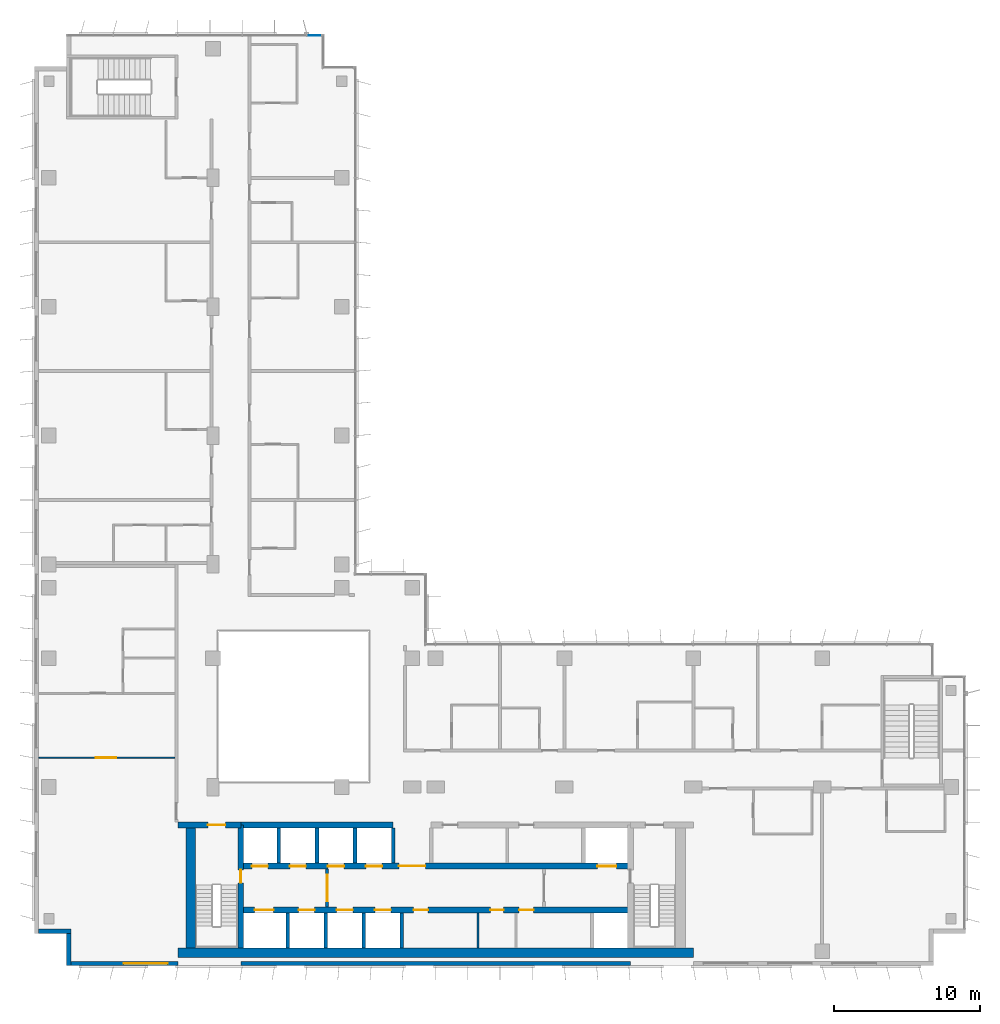
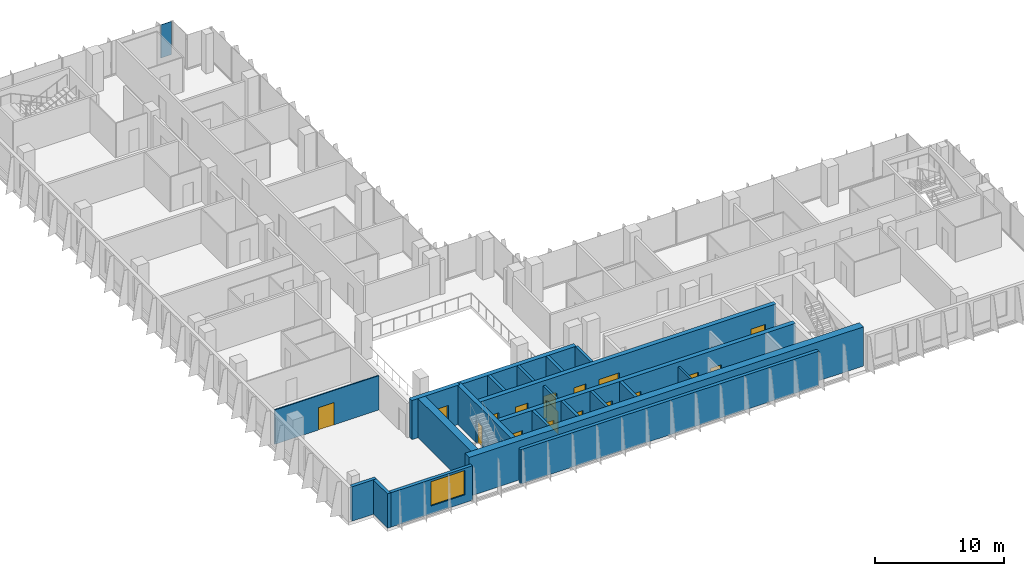
# One storey, part 12 of 20: 22 walls, 17 doors, 1 plate, 1 window, 18 openings, 1 element without a shape of its own.
"""IFC4 building model written with IfcOpenShell, lengths in metres."""

import ifcopenshell
import ifcopenshell.guid

model = None  # the IFC model being written
_history = None  # IfcOwnerHistory: only IFC2X3 demands one
_inside = {}  # id of a spatial element -> (the spatial element, [elements in it])
_under = {}  # id of a project, library or spatial element -> (it, [spatial elements below it])
_declared = {}  # id of a project -> (the project, [libraries it declares])
_typed = {}  # id of a type object -> (the type object, [elements of that type])
_made_of = {}  # id of a material, layer set ... -> (it, [elements and type objects made of it])


def new_model(schema):
    """Start an empty IFC model of exactly this schema.

    Asked for "IFC4X3", IfcOpenShell would pick the latest addendum, in which some entities
    have other attributes; the version numbers below select the first issue.
    IFC2X3 requires an IfcOwnerHistory on every rooted entity: one is made here for all.
    """
    global model, _history
    if schema == "IFC4X3":
        model = ifcopenshell.file(schema_version=(4, 3, 0, 0))
    else:
        model = ifcopenshell.file(schema=schema)
    _inside.clear()
    _under.clear()
    _declared.clear()
    _typed.clear()
    _made_of.clear()
    _history = None
    if model.schema == "IFC2X3":
        org = make("IfcOrganization", Name="unknown")
        user = make(
            "IfcPersonAndOrganization",
            ThePerson=make("IfcPerson", FamilyName="unknown"),
            TheOrganization=org,
        )
        app = make(
            "IfcApplication",
            ApplicationDeveloper=org,
            Version="unknown",
            ApplicationFullName="unknown",
            ApplicationIdentifier="unknown",
        )
        _history = make(
            "IfcOwnerHistory",
            OwningUser=user,
            OwningApplication=app,
            ChangeAction="ADDED",
            CreationDate=0,
        )
    return model


def make(cls, **values):
    """One entity of the class cls with the attributes given. An attribute that is None is left unset."""
    return model.create_entity(
        cls, **{name: value for name, value in values.items() if value is not None}
    )


def rooted(cls, **values):
    """An entity with a GlobalId (a new one), such as an element, a storey or a relation."""
    return make(cls, GlobalId=ifcopenshell.guid.new(), OwnerHistory=_history, **values)


def si_unit(unit_type, name, prefix=None):
    """IfcSIUnit, for example si_unit("LENGTHUNIT", "METRE", prefix="MILLI")."""
    return make("IfcSIUnit", UnitType=unit_type, Prefix=prefix, Name=name)


def assignment(units):
    """IfcUnitAssignment: the units of a project."""
    return None if units is None else make("IfcUnitAssignment", Units=units)


def point(xyz):
    """IfcCartesianPoint."""
    return None if xyz is None else make("IfcCartesianPoint", Coordinates=xyz)


def direction(xyz):
    """IfcDirection."""
    return None if xyz is None else make("IfcDirection", DirectionRatios=xyz)


def frame(location, z_axis=None, x_axis=None):
    """IfcAxis2Placement3D, a coordinate frame: its origin and axes. An axis left out is left unset."""
    return make(
        "IfcAxis2Placement3D",
        Location=point(location),
        Axis=direction(z_axis),
        RefDirection=direction(x_axis),
    )


def frame_2d(location, x_axis=None):
    """IfcAxis2Placement2D, a coordinate frame in the plane: its origin and x axis."""
    return make(
        "IfcAxis2Placement2D", Location=point(location), RefDirection=direction(x_axis)
    )


def origin():
    """The frame at (0, 0, 0) with its axes left unset."""
    return frame((0.0, 0.0, 0.0))


def origin_2d():
    """The frame at (0, 0) in the plane with its x axis left unset."""
    return frame_2d((0.0, 0.0))


def place(relative_to, where):
    """IfcLocalPlacement: puts the frame where relative to a parent placement (None: the world)."""
    return make(
        "IfcLocalPlacement", PlacementRelTo=relative_to, RelativePlacement=where
    )


def context(
    kind, dimensions, precision=None, world=None, true_north=None, identifier=None
):
    """IfcGeometricRepresentationContext, for example the 3D "Model" context."""
    return make(
        "IfcGeometricRepresentationContext",
        ContextIdentifier=identifier,
        ContextType=kind,
        CoordinateSpaceDimension=dimensions,
        Precision=precision,
        WorldCoordinateSystem=world,
        TrueNorth=true_north,
    )


def subcontext(parent, identifier, kind, view, scale=None):
    """IfcGeometricRepresentationSubContext, for example "Body" below "Model"."""
    return make(
        "IfcGeometricRepresentationSubContext",
        ContextIdentifier=identifier,
        ContextType=kind,
        ParentContext=parent,
        TargetScale=scale,
        TargetView=view,
    )


def project(units=None, contexts=None):
    """IfcProject with its units and contexts."""
    return rooted(
        "IfcProject",
        Name="project",
        RepresentationContexts=contexts,
        UnitsInContext=assignment(units),
    )


def spatial(cls, under=None, at=None, **own):
    """A site, building, storey or space (cls), placed at a placement, below another one or the project."""
    s = rooted(cls, ObjectPlacement=at, **own)
    if under is not None:
        _under.setdefault(under.id(), (under, []))[1].append(s)
    return s


def profile(cls, at=None, kind="AREA", **sizes):
    """A parametric profile (cls). Its sizes go by their IFC names, for example OverallWidth=200.0."""
    return make(cls, ProfileType=kind, Position=at, **sizes)


def rectangle(**sizes):
    """IfcRectangleProfileDef."""
    return profile("IfcRectangleProfileDef", **sizes)


def extrude(swept, where, along, depth):
    """IfcExtrudedAreaSolid: the profile swept, set in the frame where, extruded along a direction by depth."""
    return make(
        "IfcExtrudedAreaSolid",
        SweptArea=swept,
        Position=where,
        ExtrudedDirection=direction(along),
        Depth=depth,
    )


def shape(context_of_items, identifier, shape_type, items):
    """IfcShapeRepresentation: the items that make up one representation, for example the "Body"."""
    return make(
        "IfcShapeRepresentation",
        ContextOfItems=context_of_items,
        RepresentationIdentifier=identifier,
        RepresentationType=shape_type,
        Items=items,
    )


def source(mapping_origin, context_of_items, identifier, shape_type, items):
    """IfcRepresentationMap: a shape defined once, which mapped items show again and again."""
    return make(
        "IfcRepresentationMap",
        MappingOrigin=mapping_origin,
        MappedRepresentation=shape(context_of_items, identifier, shape_type, items),
    )


def transform(
    local_origin,
    x_axis=None,
    y_axis=None,
    z_axis=None,
    scale=None,
    scale2=None,
    scale3=None,
    uniform=True,
):
    """IfcCartesianTransformationOperator3D, or its non-uniform kind. x_axis, y_axis, z_axis: its Axis1, 2, 3."""
    if uniform:
        return make(
            "IfcCartesianTransformationOperator3D",
            Axis1=direction(x_axis),
            Axis2=direction(y_axis),
            LocalOrigin=point(local_origin),
            Scale=scale,
            Axis3=direction(z_axis),
        )
    return make(
        "IfcCartesianTransformationOperator3DnonUniform",
        Axis1=direction(x_axis),
        Axis2=direction(y_axis),
        LocalOrigin=point(local_origin),
        Scale=scale,
        Axis3=direction(z_axis),
        Scale2=scale2,
        Scale3=scale3,
    )


def mapped(mapping_source, mapping_target):
    """IfcMappedItem: shows the shape of a source again, moved by a transform."""
    return make(
        "IfcMappedItem", MappingSource=mapping_source, MappingTarget=mapping_target
    )


def material(Name=None, Category=None):
    """IfcMaterial."""
    return make("IfcMaterial", Name=Name, Category=Category)


def layer(
    of_material, thickness, ventilated=None, Name=None, Category=None, Priority=None
):
    """IfcMaterialLayer: one layer of a wall or slab, of a material (None: an air gap)."""
    return make(
        "IfcMaterialLayer",
        Material=of_material,
        LayerThickness=thickness,
        IsVentilated=ventilated,
        Name=Name,
        Category=Category,
        Priority=Priority,
    )


def layer_set(layers, Name=None):
    """IfcMaterialLayerSet."""
    return make("IfcMaterialLayerSet", MaterialLayers=layers, LayerSetName=Name)


def made_of(thing, what):
    """Note that an element or type object is made of a material, layer set ...; save() writes the relation."""
    if what is not None:
        _made_of.setdefault(what.id(), (what, []))[1].append(thing)
    return thing


def type_object(cls, material=None, **own):
    """A type object (cls), such as IfcWallType, which elements share."""
    return made_of(rooted(cls, **own), material)


def element(
    cls,
    number,
    at=None,
    inside=None,
    cuts=None,
    type_object=None,
    material=None,
    context=None,
    identifier="Body",
    shape_type=None,
    held_by="IfcProductDefinitionShape",
    body=None,
    shapes=None,
    **own,
):
    """One element of the class cls, such as IfcWall. Its Tag is "e" and its number.

    at: its placement. inside: the storey or other place that contains it. cuts: it is an
    opening in that element (IfcRelVoidsElement). A single representation is given by context,
    identifier, shape_type and body (its items); several are given by shapes. held_by: the class
    of the entity that holds the representations. save() writes the other relations.
    """
    e = rooted(cls, Tag="e%d" % number, ObjectPlacement=at, **own)
    if body is not None:
        shapes = [shape(context, identifier, shape_type, body)]
    if shapes is not None:
        e.Representation = make(held_by, Representations=shapes)
    if inside is not None:
        _inside.setdefault(inside.id(), (inside, []))[1].append(e)
    if cuts is not None:
        rooted(
            "IfcRelVoidsElement", RelatingBuildingElement=cuts, RelatedOpeningElement=e
        )
    if type_object is not None:
        _typed.setdefault(type_object.id(), (type_object, []))[1].append(e)
    return made_of(e, material)


def fill(opening, filler):
    """IfcRelFillsElement: the door or window that sits in an opening."""
    return rooted(
        "IfcRelFillsElement",
        RelatingOpeningElement=opening,
        RelatedBuildingElement=filler,
    )


def aggregate(whole, parts):
    """IfcRelAggregates: a whole, such as a stair, and the parts it consists of."""
    return rooted("IfcRelAggregates", RelatingObject=whole, RelatedObjects=parts)


def save(model, path):
    """Write the relations noted so far, then the file.

    IfcRelAggregates (storeys below a building ...), IfcRelContainedInSpatialStructure (elements
    in a storey), IfcRelDefinesByType, IfcRelAssociatesMaterial and IfcRelDeclares: one each for
    every whole, place, type object, material and project.
    """
    for whole, parts in _under.values():
        aggregate(whole, parts)
    for where, things in _inside.values():
        rooted(
            "IfcRelContainedInSpatialStructure",
            RelatedElements=things,
            RelatingStructure=where,
        )
    for kind, things in _typed.values():
        rooted("IfcRelDefinesByType", RelatedObjects=things, RelatingType=kind)
    for what, things in _made_of.values():
        rooted("IfcRelAssociatesMaterial", RelatedObjects=things, RelatingMaterial=what)
    for by, libraries in _declared.values():
        rooted("IfcRelDeclares", RelatingContext=by, RelatedDefinitions=libraries)
    model.write(path)


model = new_model("IFC4")

# Units and contexts
model_context = context("Model", 3, precision=1e-05, world=origin(), true_north=direction((0.0, 1.0)))
body_context = subcontext(model_context, "Body", "Model", "MODEL_VIEW")
ifc_project = project(units=[si_unit("LENGTHUNIT", "METRE"), si_unit("AREAUNIT", "SQUARE_METRE"), si_unit("VOLUMEUNIT", "CUBIC_METRE"), si_unit("PLANEANGLEUNIT", "RADIAN"), si_unit("MASSUNIT", "GRAM", prefix="KILO")], contexts=[model_context])

# Site, building, storey
site_placement = place(None, origin())
site = spatial("IfcSite", under=ifc_project, at=site_placement, CompositionType="ELEMENT")
building_placement = place(site_placement, origin())
building = spatial("IfcBuilding", under=site, at=building_placement, Name="Kemantara Hotel Tower", CompositionType="ELEMENT")
storey_placement = place(building_placement, frame((0.0, 0.0, 190.10009765625)))
storey = spatial("IfcBuildingStorey", under=building, at=storey_placement, Name="L47", CompositionType="ELEMENT", Elevation=190.10009765625)

# Curtain wall, plate
ifc_material_1 = material(Name="Low-E tinted double insulated glass 36 mm", Category="glass")
curtain_wall_type = type_object("IfcCurtainWallType", Name="TOWER CURTAIN WALL, FRONT FACES", PredefinedType="USERDEFINED", material=ifc_material_1)
curtain_wall_placement = place(storey_placement, origin())
curtain_wall = element("IfcCurtainWall", 1, at=curtain_wall_placement, inside=storey, type_object=curtain_wall_type, Name="CW4 L47 T3-R02-1", ObjectType="TOWER CURTAIN WALL, FRONT FACES", PredefinedType="USERDEFINED")
ifc_layer_1 = layer(ifc_material_1, 0.035888671875)
ifc_layer_set_1 = layer_set([ifc_layer_1], Name="Low-E tinted double insulated glass 36 mm")
plate_type = type_object("IfcPlateType", Name="TOWER CURTAIN WALL, FRONT FACES PANEL", PredefinedType="CURTAIN_PANEL", material=ifc_layer_set_1)
shared_shape = source(origin(), body_context, "Body", "SweptSolid", [
    extrude(rectangle(XDim=0.9599609375, YDim=0.035888671875, at=origin_2d()), origin(), (0.0, 0.0, 1.0), 3.1298828125),
])
plate_placement = place(storey_placement, frame((19.110107421875, 63.52490234375, 0.119873046875), z_axis=(0.0, 0.0, 1.0), x_axis=(-1.0, 0.0, 0.0)))
plate = element("IfcPlate", 2, at=plate_placement, type_object=plate_type, Name="CW4 glass panel T3-R02-1.1", PredefinedType="CURTAIN_PANEL", context=body_context, shape_type="MappedRepresentation", body=[
    mapped(shared_shape, transform((0.0, 0.0, 0.0))),
])
aggregate(curtain_wall, [plate])

# Walls
ifc_material_2 = material(Name="Bronze anodised aluminium cladding on insulated steel stud wall", Category="steel")
ifc_layer_2 = layer(ifc_material_2, 0.300048828125)
ifc_layer_set_2 = layer_set([ifc_layer_2], Name="Bronze anodised aluminium cladding on insulated steel stud wall")
wall_type_1 = type_object("IfcWallType", Name="BRONZE METAL-CLAD EXTERNAL WALL 300", PredefinedType="STANDARD", material=ifc_layer_set_2)
for number, where, z_axis, x_axis, name in (
    (3, (0.300048828125, 2.35009765625, 0.0), (0.0, 0.0, 1.0), (1.0, 0.0, 0.0), "EXTERNAL WALL L47 T3-R06"),
    (4, (2.35009765625, 2.199951171875, 0.0), (0.0, 0.0, 1.0), (0.0, -1.0, 0.0), "EXTERNAL WALL L47 T3-R07"),
):
    element("IfcWall", number, at=place(storey_placement, frame(where, z_axis=z_axis, x_axis=x_axis)), inside=storey, type_object=wall_type_1, Name=name, PredefinedType="STANDARD", context=body_context, shape_type="SweptSolid", body=[
        extrude(rectangle(XDim=2.199951171875, YDim=0.300048828125, at=frame_2d((1.10009765625, 0.0))), origin(), (0.0, 0.0, 1.0), 3.25),
    ])

# Wall, opening, window
wall_1_placement = place(storey_placement, frame((2.5, 0.14990234375, 0.0), z_axis=(0.0, 0.0, 1.0), x_axis=(1.0, 0.0, 0.0)))
wall_1 = element("IfcWall", 5, at=wall_1_placement, inside=storey, type_object=wall_type_1, Name="EXTERNAL WALL L47 T3-R08", PredefinedType="STANDARD", context=body_context, shape_type="SweptSolid", body=[
    extrude(rectangle(XDim=7.300048828125, YDim=0.300048828125, at=frame_2d((3.64990234375, 0.0))), origin(), (0.0, 0.0, 1.0), 3.25),
])
opening_1_placement = place(wall_1_placement, frame((3.60009765625, 0.0, 0.75)))
opening_1 = element("IfcOpeningElement", 6, at=opening_1_placement, cuts=wall_1, Name="Opening W1", PredefinedType="OPENING", context=body_context, shape_type="SweptSolid", body=[
    extrude(rectangle(XDim=3.0, YDim=2.300048828125, at=frame_2d((1.5, 1.14990234375))), frame((0.0, 0.159912109375, 0.0), z_axis=(0.0, -1.0, 0.0), x_axis=(1.0, 0.0, 0.0)), (0.0, 0.0, 1.0), 0.320068359375),
])
ifc_material_3 = material(Name="Low-E tinted double insulated glass in bronze anodised aluminium frame", Category="aluminium")
window_type = type_object("IfcWindowType", Name="CHICAGO WINDOW, TRIPLE PANEL 3000x2300", PartitioningType="TRIPLE_PANEL_VERTICAL", PredefinedType="WINDOW", material=ifc_material_3)
window_placement = place(opening_1_placement, origin())
window = element("IfcWindow", 7, at=window_placement, inside=storey, type_object=window_type, Name="CHICAGO WINDOW L47 T3-R08-54", OverallHeight=2.300048828125, OverallWidth=3.0, PartitioningType="SINGLE_PANEL", PredefinedType="WINDOW", context=body_context, shape_type="SweptSolid", body=[
    extrude(rectangle(XDim=3.0, YDim=2.300048828125, at=frame_2d((1.5, 1.14990234375))), frame((0.0, 0.030029296875, 0.0), z_axis=(0.0, -1.0, 0.0), x_axis=(1.0, 0.0, 0.0)), (0.0, 0.0, 1.0), 0.06005859375),
])
fill(opening_1, window)

# Walls
wall_2_placement = place(storey_placement, frame((14.10009765625, 0.14990234375, 0.0), z_axis=(0.0, 0.0, 1.0), x_axis=(1.0, 0.0, 0.0)))
element("IfcWall", 8, at=wall_2_placement, inside=storey, type_object=wall_type_1, Name="EXTERNAL WALL L47 T3-R08-2", PredefinedType="STANDARD", context=body_context, shape_type="SweptSolid", body=[
    extrude(rectangle(XDim=26.599853515625, YDim=0.300048828125, at=frame_2d((13.2998046875, 0.0))), origin(), (0.0, 0.0, 1.0), 3.25),
])
ifc_material_4 = material(Name="Concrete fc 60 MPa", Category="concrete")
ifc_layer_3 = layer(ifc_material_4, 0.25)
ifc_layer_set_3 = layer_set([ifc_layer_3], Name="Concrete fc 60 MPa")
wall_type_2 = type_object("IfcWallType", Name="CORE WALL 250 FC60", PredefinedType="SHEAR", material=ifc_layer_set_3)
for number, where, z_axis, x_axis, name in (
    (9, (17.300048828125, 1.199951171875, 0.0), (0.0, 0.0, 1.0), (0.0, 1.0, 0.0), "CORE WALL CW-DS17.3"),
    (10, (19.89990234375, 1.199951171875, 0.0), (0.0, 0.0, 1.0), (0.0, 1.0, 0.0), "CORE WALL CW-DS19.9"),
    (11, (22.5, 1.199951171875, 0.0), (0.0, 0.0, 1.0), (0.0, 1.0, 0.0), "CORE WALL CW-DS22.5"),
    (12, (25.10009765625, 1.199951171875, 0.0), (0.0, 0.0, 1.0), (0.0, 1.0, 0.0), "CORE WALL CW-DS25.1"),
):
    element("IfcWall", number, at=place(storey_placement, frame(where, z_axis=z_axis, x_axis=x_axis)), inside=storey, type_object=wall_type_2, Name=name, PredefinedType="SHEAR", context=body_context, shape_type="SweptSolid", body=[
        extrude(rectangle(XDim=2.400146484375, YDim=0.25, at=frame_2d((1.2001953125, 0.0))), origin(), (0.0, 0.0, 1.0), 3.699951171875),
    ])
for number, where, z_axis, x_axis, name in (
    (13, (16.699951171875, 7.0, 0.0), (0.0, 0.0, 1.0), (0.0, 1.0, 0.0), "CORE WALL CW-DN16.7"),
    (14, (19.300048828125, 7.0, 0.0), (0.0, 0.0, 1.0), (0.0, 1.0, 0.0), "CORE WALL CW-DN19.3"),
    (15, (21.89990234375, 7.0, 0.0), (0.0, 0.0, 1.0), (0.0, 1.0, 0.0), "CORE WALL CW-DN21.9"),
    (16, (24.5, 7.0, 0.0), (0.0, 0.0, 1.0), (0.0, 1.0, 0.0), "CORE WALL CW-DN24.5"),
):
    element("IfcWall", number, at=place(storey_placement, frame(where, z_axis=z_axis, x_axis=x_axis)), inside=storey, type_object=wall_type_2, Name=name, PredefinedType="SHEAR", context=body_context, shape_type="SweptSolid", body=[
        extrude(rectangle(XDim=2.39990234375, YDim=0.25, at=frame_2d((1.199951171875, 0.0))), origin(), (0.0, 0.0, 1.0), 3.699951171875),
    ])

# Wall, opening, door
ifc_layer_4 = layer(ifc_material_4, 0.39990234375)
ifc_layer_set_4 = layer_set([ifc_layer_4], Name="Concrete fc 60 MPa")
wall_type_3 = type_object("IfcWallType", Name="CORE WALL 400 FC60", PredefinedType="SHEAR", material=ifc_layer_set_4)
wall_3_placement = place(storey_placement, frame((9.800048828125, 9.60009765625, 0.0), z_axis=(0.0, 0.0, 1.0), x_axis=(1.0, 0.0, 0.0)))
wall_3 = element("IfcWall", 17, at=wall_3_placement, inside=storey, type_object=wall_type_3, Name="CORE WALL CW-N1", PredefinedType="SHEAR", context=body_context, shape_type="SweptSolid", body=[
    extrude(rectangle(XDim=4.300048828125, YDim=0.39990234375, at=frame_2d((2.14990234375, 0.0))), origin(), (0.0, 0.0, 1.0), 3.699951171875),
])
opening_2_placement = place(wall_3_placement, frame((2.050048828125, 0.0, 0.0)))
opening_2 = element("IfcOpeningElement", 18, at=opening_2_placement, cuts=wall_3, Name="Opening C28-ST1-C", PredefinedType="OPENING", context=body_context, shape_type="SweptSolid", body=[
    extrude(rectangle(XDim=1.199951171875, YDim=2.10009765625, at=frame_2d((0.60009765625, 1.050048828125))), frame((0.0, 0.2099609375, 0.0), z_axis=(0.0, -1.0, 0.0), x_axis=(1.0, 0.0, 0.0)), (0.0, 0.0, 1.0), 0.419921875),
])
ifc_material_5 = material(Name="Steel fire door", Category="steel")
door_type_1 = type_object("IfcDoorType", Name="Fire door FD90 1200 x 2100", OperationType="NOTDEFINED", PredefinedType="DOOR", material=ifc_material_5)
door_1_placement = place(opening_2_placement, frame((1.199951171875, 0.0, 0.0), z_axis=(0.0, 0.0, 1.0), x_axis=(-1.0, 0.0, 0.0)))
door_1 = element("IfcDoor", 19, at=door_1_placement, inside=storey, type_object=door_type_1, Name="Stair ST1 door to corridor", OperationType="SINGLE_SWING_LEFT", OverallHeight=2.10009765625, OverallWidth=1.199951171875, PredefinedType="DOOR", context=body_context, shape_type="SweptSolid", body=[
    extrude(rectangle(XDim=1.199951171875, YDim=2.10009765625, at=frame_2d((0.60009765625, 1.050048828125))), frame((0.0, 0.02490234375, 0.0), z_axis=(0.0, -1.0, 0.0), x_axis=(1.0, 0.0, 0.0)), (0.0, 0.0, 1.0), 0.050048828125),
])
fill(opening_2, door_1)

# Wall
wall_4_placement = place(storey_placement, frame((14.10009765625, 9.60009765625, 0.0), z_axis=(0.0, 0.0, 1.0), x_axis=(1.0, 0.0, 0.0)))
element("IfcWall", 20, at=wall_4_placement, inside=storey, type_object=wall_type_3, Name="CORE WALL CW-NN1", PredefinedType="SHEAR", context=body_context, shape_type="SweptSolid", body=[
    extrude(rectangle(XDim=10.39990234375, YDim=0.39990234375, at=frame_2d((5.199951171875, 0.0))), origin(), (0.0, 0.0, 1.0), 3.699951171875),
])

# Wall, openings, doors
wall_5_placement = place(storey_placement, frame((14.10009765625, 3.800048828125, 0.0), z_axis=(0.0, 0.0, 1.0), x_axis=(1.0, 0.0, 0.0)))
wall_5 = element("IfcWall", 21, at=wall_5_placement, inside=storey, type_object=wall_type_3, Name="CORE WALL CW-L1", PredefinedType="SHEAR", context=body_context, shape_type="SweptSolid", body=[
    extrude(rectangle(XDim=26.599853515625, YDim=0.39990234375, at=frame_2d((13.2998046875, 0.0))), origin(), (0.0, 0.0, 1.0), 3.699951171875),
])
opening_3_placement = place(wall_5_placement, frame((0.949951171875, 0.0, 0.0)))
opening_3 = element("IfcOpeningElement", 22, at=opening_3_placement, cuts=wall_5, Name="Opening C28-LD-FF1", PredefinedType="OPENING", context=body_context, shape_type="SweptSolid", body=[
    extrude(rectangle(XDim=1.300048828125, YDim=2.10009765625, at=frame_2d((0.64990234375, 1.050048828125))), frame((0.0, 0.2099609375, 0.0), z_axis=(0.0, -1.0, 0.0), x_axis=(1.0, 0.0, 0.0)), (0.0, 0.0, 1.0), 0.419921875),
])
opening_4_placement = place(wall_5_placement, frame((3.949951171875, 0.0, 0.0)))
opening_4 = element("IfcOpeningElement", 23, at=opening_4_placement, cuts=wall_5, Name="Opening C28-LD-SV1", PredefinedType="OPENING", context=body_context, shape_type="SweptSolid", body=[
    extrude(rectangle(XDim=1.10009765625, YDim=2.10009765625, at=frame_2d((0.550048828125, 1.050048828125))), frame((0.0, 0.2099609375, 0.0), z_axis=(0.0, -1.0, 0.0), x_axis=(1.0, 0.0, 0.0)), (0.0, 0.0, 1.0), 0.419921875),
])
opening_5_placement = place(wall_5_placement, frame((6.550048828125, 0.0, 0.0)))
opening_5 = element("IfcOpeningElement", 24, at=opening_5_placement, cuts=wall_5, Name="Opening C28-LD-SV2", PredefinedType="OPENING", context=body_context, shape_type="SweptSolid", body=[
    extrude(rectangle(XDim=1.10009765625, YDim=2.10009765625, at=frame_2d((0.550048828125, 1.050048828125))), frame((0.0, 0.2099609375, 0.0), z_axis=(0.0, -1.0, 0.0), x_axis=(1.0, 0.0, 0.0)), (0.0, 0.0, 1.0), 0.419921875),
])
opening_6_placement = place(wall_5_placement, frame((9.14990234375, 0.0, 0.0)))
opening_6 = element("IfcOpeningElement", 25, at=opening_6_placement, cuts=wall_5, Name="Opening C28-LD-SV3", PredefinedType="OPENING", context=body_context, shape_type="SweptSolid", body=[
    extrude(rectangle(XDim=1.10009765625, YDim=2.10009765625, at=frame_2d((0.550048828125, 1.050048828125))), frame((0.0, 0.2099609375, 0.0), z_axis=(0.0, -1.0, 0.0), x_axis=(1.0, 0.0, 0.0)), (0.0, 0.0, 1.0), 0.419921875),
])
opening_7_placement = place(wall_5_placement, frame((11.800048828125, 0.0, 0.0)))
opening_7 = element("IfcOpeningElement", 26, at=opening_7_placement, cuts=wall_5, Name="Opening C28-R-SM1", PredefinedType="OPENING", context=body_context, shape_type="SweptSolid", body=[
    extrude(rectangle(XDim=1.0, YDim=2.10009765625, at=frame_2d((0.5, 1.050048828125))), frame((0.0, 0.2099609375, 0.0), z_axis=(0.0, -1.0, 0.0), x_axis=(1.0, 0.0, 0.0)), (0.0, 0.0, 1.0), 0.419921875),
])
opening_8_placement = place(wall_5_placement, frame((17.050048828125, 0.0, 0.0)))
opening_8 = element("IfcOpeningElement", 27, at=opening_8_placement, cuts=wall_5, Name="Opening C28-R-SM2", PredefinedType="OPENING", context=body_context, shape_type="SweptSolid", body=[
    extrude(rectangle(XDim=0.89990234375, YDim=2.10009765625, at=frame_2d((0.449951171875, 1.050048828125))), frame((0.0, 0.2099609375, 0.0), z_axis=(0.0, -1.0, 0.0), x_axis=(1.0, 0.0, 0.0)), (0.0, 0.0, 1.0), 0.419921875),
])
opening_9_placement = place(wall_5_placement, frame((19.0, 0.0, 0.0)))
opening_9 = element("IfcOpeningElement", 28, at=opening_9_placement, cuts=wall_5, Name="Opening C28-R-SM3", PredefinedType="OPENING", context=body_context, shape_type="SweptSolid", body=[
    extrude(rectangle(XDim=1.0, YDim=2.10009765625, at=frame_2d((0.5, 1.050048828125))), frame((0.0, 0.2099609375, 0.0), z_axis=(0.0, -1.0, 0.0), x_axis=(1.0, 0.0, 0.0)), (0.0, 0.0, 1.0), 0.419921875),
])
door_type_2 = type_object("IfcDoorType", Name="Fire door FD30S 1000 x 2100", OperationType="NOTDEFINED", PredefinedType="DOOR", material=ifc_material_5)
door_2_placement = place(opening_7_placement, frame((1.0, 0.0, 0.0), z_axis=(0.0, 0.0, 1.0), x_axis=(-1.0, 0.0, 0.0)))
door_2 = element("IfcDoor", 29, at=door_2_placement, inside=storey, type_object=door_type_2, Name="Luggage Store door", OperationType="SINGLE_SWING_RIGHT", OverallHeight=2.10009765625, OverallWidth=1.0, PredefinedType="DOOR", context=body_context, shape_type="SweptSolid", body=[
    extrude(rectangle(XDim=1.0, YDim=2.10009765625, at=frame_2d((0.5, 1.050048828125))), frame((0.0, 0.02490234375, 0.0), z_axis=(0.0, -1.0, 0.0), x_axis=(1.0, 0.0, 0.0)), (0.0, 0.0, 1.0), 0.050048828125),
])
fill(opening_7, door_2)
door_3_placement = place(opening_9_placement, frame((1.0, 0.0, 0.0), z_axis=(0.0, 0.0, 1.0), x_axis=(-1.0, 0.0, 0.0)))
door_3 = element("IfcDoor", 30, at=door_3_placement, inside=storey, type_object=door_type_2, Name="Staff Lounge door", OperationType="SINGLE_SWING_LEFT", OverallHeight=2.10009765625, OverallWidth=1.0, PredefinedType="DOOR", context=body_context, shape_type="SweptSolid", body=[
    extrude(rectangle(XDim=1.0, YDim=2.10009765625, at=frame_2d((0.5, 1.050048828125))), frame((0.0, 0.02490234375, 0.0), z_axis=(0.0, -1.0, 0.0), x_axis=(1.0, 0.0, 0.0)), (0.0, 0.0, 1.0), 0.050048828125),
])
fill(opening_9, door_3)
door_type_3 = type_object("IfcDoorType", Name="Fire door FD30S 900 x 2100", OperationType="NOTDEFINED", PredefinedType="DOOR", material=ifc_material_5)
door_4_placement = place(opening_8_placement, frame((0.89990234375, 0.0, 0.0), z_axis=(0.0, 0.0, 1.0), x_axis=(-1.0, 0.0, 0.0)))
door_4 = element("IfcDoor", 31, at=door_4_placement, inside=storey, type_object=door_type_3, Name="Staff Wc door", OperationType="SINGLE_SWING_LEFT", OverallHeight=2.10009765625, OverallWidth=0.89990234375, PredefinedType="DOOR", context=body_context, shape_type="SweptSolid", body=[
    extrude(rectangle(XDim=0.89990234375, YDim=2.10009765625, at=frame_2d((0.449951171875, 1.050048828125))), frame((0.0, 0.02490234375, 0.0), z_axis=(0.0, -1.0, 0.0), x_axis=(1.0, 0.0, 0.0)), (0.0, 0.0, 1.0), 0.050048828125),
])
fill(opening_8, door_4)
ifc_material_6 = material(Name="Stainless steel lift door", Category="steel")
door_type_4 = type_object("IfcDoorType", Name="Lift landing door 1100 x 2100 FD60", OperationType="DOUBLE_DOOR_SLIDING", PredefinedType="DOOR", material=ifc_material_6)
door_5_placement = place(opening_4_placement, origin())
door_5 = element("IfcDoor", 32, at=door_5_placement, inside=storey, type_object=door_type_4, Name="Lift SV1 landing door", OperationType="DOUBLE_DOOR_SLIDING", OverallHeight=2.10009765625, OverallWidth=1.10009765625, PredefinedType="DOOR", context=body_context, shape_type="SweptSolid", body=[
    extrude(rectangle(XDim=1.10009765625, YDim=2.10009765625, at=frame_2d((0.550048828125, 1.050048828125))), frame((0.0, 0.02490234375, 0.0), z_axis=(0.0, -1.0, 0.0), x_axis=(1.0, 0.0, 0.0)), (0.0, 0.0, 1.0), 0.050048828125),
])
fill(opening_4, door_5)
door_6_placement = place(opening_5_placement, origin())
door_6 = element("IfcDoor", 33, at=door_6_placement, inside=storey, type_object=door_type_4, Name="Lift SV2 landing door", OperationType="DOUBLE_DOOR_SLIDING", OverallHeight=2.10009765625, OverallWidth=1.10009765625, PredefinedType="DOOR", context=body_context, shape_type="SweptSolid", body=[
    extrude(rectangle(XDim=1.10009765625, YDim=2.10009765625, at=frame_2d((0.550048828125, 1.050048828125))), frame((0.0, 0.02490234375, 0.0), z_axis=(0.0, -1.0, 0.0), x_axis=(1.0, 0.0, 0.0)), (0.0, 0.0, 1.0), 0.050048828125),
])
fill(opening_5, door_6)
door_7_placement = place(opening_6_placement, origin())
door_7 = element("IfcDoor", 34, at=door_7_placement, inside=storey, type_object=door_type_4, Name="Lift SV3 landing door", OperationType="DOUBLE_DOOR_SLIDING", OverallHeight=2.10009765625, OverallWidth=1.10009765625, PredefinedType="DOOR", context=body_context, shape_type="SweptSolid", body=[
    extrude(rectangle(XDim=1.10009765625, YDim=2.10009765625, at=frame_2d((0.550048828125, 1.050048828125))), frame((0.0, 0.02490234375, 0.0), z_axis=(0.0, -1.0, 0.0), x_axis=(1.0, 0.0, 0.0)), (0.0, 0.0, 1.0), 0.050048828125),
])
fill(opening_6, door_7)
door_type_5 = type_object("IfcDoorType", Name="Lift landing door 1300 x 2100 FD90", OperationType="DOUBLE_DOOR_SLIDING", PredefinedType="DOOR", material=ifc_material_6)
door_8_placement = place(opening_3_placement, origin())
door_8 = element("IfcDoor", 35, at=door_8_placement, inside=storey, type_object=door_type_5, Name="Lift FF1 landing door", OperationType="DOUBLE_DOOR_SLIDING", OverallHeight=2.10009765625, OverallWidth=1.300048828125, PredefinedType="DOOR", context=body_context, shape_type="SweptSolid", body=[
    extrude(rectangle(XDim=1.300048828125, YDim=2.10009765625, at=frame_2d((0.64990234375, 1.050048828125))), frame((0.0, 0.02490234375, 0.0), z_axis=(0.0, -1.0, 0.0), x_axis=(1.0, 0.0, 0.0)), (0.0, 0.0, 1.0), 0.050048828125),
])
fill(opening_3, door_8)

wall_6_placement = place(storey_placement, frame((14.10009765625, 6.800048828125, 0.0), z_axis=(0.0, 0.0, 1.0), x_axis=(1.0, 0.0, 0.0)))
wall_6 = element("IfcWall", 36, at=wall_6_placement, inside=storey, type_object=wall_type_3, Name="CORE WALL CW-L2", PredefinedType="SHEAR", context=body_context, shape_type="SweptSolid", body=[
    extrude(rectangle(XDim=26.599853515625, YDim=0.39990234375, at=frame_2d((13.2998046875, 0.0))), origin(), (0.0, 0.0, 1.0), 3.699951171875),
])
opening_10_placement = place(wall_6_placement, frame((10.800048828125, 0.0, 0.0)))
opening_10 = element("IfcOpeningElement", 37, at=opening_10_placement, cuts=wall_6, Name="Opening C28-VL", PredefinedType="OPENING", context=body_context, shape_type="SweptSolid", body=[
    extrude(rectangle(XDim=1.800048828125, YDim=2.10009765625, at=frame_2d((0.89990234375, 1.050048828125))), frame((0.0, 0.2099609375, 0.0), z_axis=(0.0, -1.0, 0.0), x_axis=(1.0, 0.0, 0.0)), (0.0, 0.0, 1.0), 0.419921875),
])
opening_11_placement = place(wall_6_placement, frame((0.75, 0.0, 0.0)))
opening_11 = element("IfcOpeningElement", 38, at=opening_11_placement, cuts=wall_6, Name="Opening C28-LD-MR1", PredefinedType="OPENING", context=body_context, shape_type="SweptSolid", body=[
    extrude(rectangle(XDim=1.10009765625, YDim=2.10009765625, at=frame_2d((0.550048828125, 1.050048828125))), frame((0.0, 0.2099609375, 0.0), z_axis=(0.0, -1.0, 0.0), x_axis=(1.0, 0.0, 0.0)), (0.0, 0.0, 1.0), 0.419921875),
])
opening_12_placement = place(wall_6_placement, frame((3.35009765625, 0.0, 0.0)))
opening_12 = element("IfcOpeningElement", 39, at=opening_12_placement, cuts=wall_6, Name="Opening C28-LD-MR2", PredefinedType="OPENING", context=body_context, shape_type="SweptSolid", body=[
    extrude(rectangle(XDim=1.10009765625, YDim=2.10009765625, at=frame_2d((0.550048828125, 1.050048828125))), frame((0.0, 0.2099609375, 0.0), z_axis=(0.0, -1.0, 0.0), x_axis=(1.0, 0.0, 0.0)), (0.0, 0.0, 1.0), 0.419921875),
])
opening_13_placement = place(wall_6_placement, frame((5.949951171875, 0.0, 0.0)))
opening_13 = element("IfcOpeningElement", 40, at=opening_13_placement, cuts=wall_6, Name="Opening C28-LD-MR3", PredefinedType="OPENING", context=body_context, shape_type="SweptSolid", body=[
    extrude(rectangle(XDim=1.10009765625, YDim=2.10009765625, at=frame_2d((0.550048828125, 1.050048828125))), frame((0.0, 0.2099609375, 0.0), z_axis=(0.0, -1.0, 0.0), x_axis=(1.0, 0.0, 0.0)), (0.0, 0.0, 1.0), 0.419921875),
])
opening_14_placement = place(wall_6_placement, frame((8.550048828125, 0.0, 0.0)))
opening_14 = element("IfcOpeningElement", 41, at=opening_14_placement, cuts=wall_6, Name="Opening C28-LD-MR4", PredefinedType="OPENING", context=body_context, shape_type="SweptSolid", body=[
    extrude(rectangle(XDim=1.10009765625, YDim=2.10009765625, at=frame_2d((0.550048828125, 1.050048828125))), frame((0.0, 0.2099609375, 0.0), z_axis=(0.0, -1.0, 0.0), x_axis=(1.0, 0.0, 0.0)), (0.0, 0.0, 1.0), 0.419921875),
])
opening_15_placement = place(wall_6_placement, frame((24.35009765625, 0.0, 0.0)))
opening_15 = element("IfcOpeningElement", 42, at=opening_15_placement, cuts=wall_6, Name="Opening C28-LD-FF2", PredefinedType="OPENING", context=body_context, shape_type="SweptSolid", body=[
    extrude(rectangle(XDim=1.300048828125, YDim=2.10009765625, at=frame_2d((0.64990234375, 1.050048828125))), frame((0.0, 0.2099609375, 0.0), z_axis=(0.0, -1.0, 0.0), x_axis=(1.0, 0.0, 0.0)), (0.0, 0.0, 1.0), 0.419921875),
])
door_type_6 = type_object("IfcDoorType", Name="Fire door pair FD60 1800 x 2100", OperationType="DOUBLE_DOOR_SINGLE_SWING", PredefinedType="DOOR", material=ifc_material_5)
door_9_placement = place(opening_10_placement, frame((1.800048828125, 0.0, 0.0), z_axis=(0.0, 0.0, 1.0), x_axis=(-1.0, 0.0, 0.0)))
door_9 = element("IfcDoor", 43, at=door_9_placement, inside=storey, type_object=door_type_6, Name="Lift lobby entry door", OperationType="DOUBLE_DOOR_SINGLE_SWING", OverallHeight=2.10009765625, OverallWidth=1.800048828125, PredefinedType="DOOR", context=body_context, shape_type="SweptSolid", body=[
    extrude(rectangle(XDim=1.800048828125, YDim=2.10009765625, at=frame_2d((0.89990234375, 1.050048828125))), frame((0.0, 0.02490234375, 0.0), z_axis=(0.0, -1.0, 0.0), x_axis=(1.0, 0.0, 0.0)), (0.0, 0.0, 1.0), 0.050048828125),
])
fill(opening_10, door_9)
door_10_placement = place(opening_11_placement, origin())
door_10 = element("IfcDoor", 44, at=door_10_placement, inside=storey, type_object=door_type_4, Name="Lift MR1 landing door", OperationType="DOUBLE_DOOR_SLIDING", OverallHeight=2.10009765625, OverallWidth=1.10009765625, PredefinedType="DOOR", context=body_context, shape_type="SweptSolid", body=[
    extrude(rectangle(XDim=1.10009765625, YDim=2.10009765625, at=frame_2d((0.550048828125, 1.050048828125))), frame((0.0, 0.02490234375, 0.0), z_axis=(0.0, -1.0, 0.0), x_axis=(1.0, 0.0, 0.0)), (0.0, 0.0, 1.0), 0.050048828125),
])
fill(opening_11, door_10)
door_11_placement = place(opening_12_placement, origin())
door_11 = element("IfcDoor", 45, at=door_11_placement, inside=storey, type_object=door_type_4, Name="Lift MR2 landing door", OperationType="DOUBLE_DOOR_SLIDING", OverallHeight=2.10009765625, OverallWidth=1.10009765625, PredefinedType="DOOR", context=body_context, shape_type="SweptSolid", body=[
    extrude(rectangle(XDim=1.10009765625, YDim=2.10009765625, at=frame_2d((0.550048828125, 1.050048828125))), frame((0.0, 0.02490234375, 0.0), z_axis=(0.0, -1.0, 0.0), x_axis=(1.0, 0.0, 0.0)), (0.0, 0.0, 1.0), 0.050048828125),
])
fill(opening_12, door_11)
door_12_placement = place(opening_13_placement, origin())
door_12 = element("IfcDoor", 46, at=door_12_placement, inside=storey, type_object=door_type_4, Name="Lift MR3 landing door", OperationType="DOUBLE_DOOR_SLIDING", OverallHeight=2.10009765625, OverallWidth=1.10009765625, PredefinedType="DOOR", context=body_context, shape_type="SweptSolid", body=[
    extrude(rectangle(XDim=1.10009765625, YDim=2.10009765625, at=frame_2d((0.550048828125, 1.050048828125))), frame((0.0, 0.02490234375, 0.0), z_axis=(0.0, -1.0, 0.0), x_axis=(1.0, 0.0, 0.0)), (0.0, 0.0, 1.0), 0.050048828125),
])
fill(opening_13, door_12)
door_13_placement = place(opening_14_placement, origin())
door_13 = element("IfcDoor", 47, at=door_13_placement, inside=storey, type_object=door_type_4, Name="Lift MR4 landing door", OperationType="DOUBLE_DOOR_SLIDING", OverallHeight=2.10009765625, OverallWidth=1.10009765625, PredefinedType="DOOR", context=body_context, shape_type="SweptSolid", body=[
    extrude(rectangle(XDim=1.10009765625, YDim=2.10009765625, at=frame_2d((0.550048828125, 1.050048828125))), frame((0.0, 0.02490234375, 0.0), z_axis=(0.0, -1.0, 0.0), x_axis=(1.0, 0.0, 0.0)), (0.0, 0.0, 1.0), 0.050048828125),
])
fill(opening_14, door_13)
door_14_placement = place(opening_15_placement, origin())
door_14 = element("IfcDoor", 48, at=door_14_placement, inside=storey, type_object=door_type_5, Name="Lift FF2 landing door", OperationType="DOUBLE_DOOR_SLIDING", OverallHeight=2.10009765625, OverallWidth=1.300048828125, PredefinedType="DOOR", context=body_context, shape_type="SweptSolid", body=[
    extrude(rectangle(XDim=1.300048828125, YDim=2.10009765625, at=frame_2d((0.64990234375, 1.050048828125))), frame((0.0, 0.02490234375, 0.0), z_axis=(0.0, -1.0, 0.0), x_axis=(1.0, 0.0, 0.0)), (0.0, 0.0, 1.0), 0.050048828125),
])
fill(opening_15, door_14)

# Wall, opening, door
wall_7_placement = place(storey_placement, frame((14.10009765625, 1.199951171875, 0.0), z_axis=(0.0, 0.0, 1.0), x_axis=(0.0, 1.0, 0.0)))
wall_7 = element("IfcWall", 49, at=wall_7_placement, inside=storey, type_object=wall_type_3, Name="CORE WALL CW-ST1E", PredefinedType="SHEAR", context=body_context, shape_type="SweptSolid", body=[
    extrude(rectangle(XDim=8.400146484375, YDim=0.39990234375, at=frame_2d((4.2001953125, 0.0))), origin(), (0.0, 0.0, 1.0), 3.699951171875),
])
opening_16_placement = place(wall_7_placement, frame((4.449951171875, 0.0, 0.0)))
opening_16 = element("IfcOpeningElement", 50, at=opening_16_placement, cuts=wall_7, Name="Opening C28-ST1-F", PredefinedType="OPENING", context=body_context, shape_type="SweptSolid", body=[
    extrude(rectangle(XDim=0.89990234375, YDim=2.10009765625, at=frame_2d((0.449951171875, 1.050048828125))), frame((0.0, 0.2099609375, 0.0), z_axis=(0.0, -1.0, 0.0), x_axis=(1.0, 0.0, 0.0)), (0.0, 0.0, 1.0), 0.419921875),
])
door_type_7 = type_object("IfcDoorType", Name="Fire door FD90 900 x 2100", OperationType="NOTDEFINED", PredefinedType="DOOR", material=ifc_material_5)
door_15_placement = place(opening_16_placement, origin())
door_15 = element("IfcDoor", 51, at=door_15_placement, inside=storey, type_object=door_type_7, Name="Stair ST1 door to firefighting lobby", OperationType="SINGLE_SWING_RIGHT", OverallHeight=2.10009765625, OverallWidth=0.89990234375, PredefinedType="DOOR", context=body_context, shape_type="SweptSolid", body=[
    extrude(rectangle(XDim=0.89990234375, YDim=2.10009765625, at=frame_2d((0.449951171875, 1.050048828125))), frame((0.0, 0.02490234375, 0.0), z_axis=(0.0, -1.0, 0.0), x_axis=(1.0, 0.0, 0.0)), (0.0, 0.0, 1.0), 0.050048828125),
])
fill(opening_16, door_15)

# Walls
ifc_layer_5 = layer(ifc_material_4, 0.64990234375)
ifc_layer_set_5 = layer_set([ifc_layer_5], Name="Concrete fc 60 MPa")
wall_type_4 = type_object("IfcWallType", Name="CORE WALL 650 FC60", PredefinedType="SHEAR", material=ifc_layer_set_5)
wall_8_placement = place(storey_placement, frame((9.800048828125, 0.875, 0.0), z_axis=(0.0, 0.0, 1.0), x_axis=(1.0, 0.0, 0.0)))
element("IfcWall", 52, at=wall_8_placement, inside=storey, type_object=wall_type_4, Name="CORE WALL CW-S", PredefinedType="SHEAR", context=body_context, shape_type="SweptSolid", body=[
    extrude(rectangle(XDim=35.199951171875, YDim=0.64990234375, at=frame_2d((17.60009765625, 0.0))), origin(), (0.0, 0.0, 1.0), 3.699951171875),
])
wall_9_placement = place(storey_placement, frame((10.675048828125, 1.199951171875, 0.0), z_axis=(0.0, 0.0, 1.0), x_axis=(0.0, 1.0, 0.0)))
element("IfcWall", 53, at=wall_9_placement, inside=storey, type_object=wall_type_4, Name="CORE WALL CW-W", PredefinedType="SHEAR", context=body_context, shape_type="SweptSolid", body=[
    extrude(rectangle(XDim=8.60009765625, YDim=0.64990234375, at=frame_2d((4.300048828125, 0.0))), origin(), (0.0, 0.0, 1.0), 3.699951171875),
])
ifc_material_7 = material(Name="Gypsum board partition")
ifc_layer_6 = layer(ifc_material_7, 0.14990234375)
ifc_layer_set_6 = layer_set([ifc_layer_6], Name="Gypsum board partition")
wall_type_5 = type_object("IfcWallType", Name="Gypsum board partition 150 mm", PredefinedType="PARTITIONING", material=ifc_layer_set_6)
wall_10_placement = place(storey_placement, frame((30.300048828125, 1.199951171875, 0.0), z_axis=(0.0, 0.0, 1.0), x_axis=(0.0, 1.0, 0.0)))
element("IfcWall", 54, at=wall_10_placement, inside=storey, type_object=wall_type_5, Name="Core room partition", PredefinedType="PARTITIONING", context=body_context, shape_type="SweptSolid", body=[
    extrude(rectangle(XDim=2.400146484375, YDim=0.14990234375, at=frame_2d((1.2001953125, 0.0))), origin(), (0.0, 0.0, 1.0), 3.25),
])

# Wall, opening, door
ifc_material_8 = material(Name="Gypsum board shaft wall")
ifc_layer_7 = layer(ifc_material_8, 0.199951171875)
ifc_layer_set_7 = layer_set([ifc_layer_7], Name="Gypsum board shaft wall")
wall_type_6 = type_object("IfcWallType", Name="Gypsum board shaft wall 200 mm", PredefinedType="PARTITIONING", material=ifc_layer_set_7)
wall_11_placement = place(storey_placement, frame((20.0, 4.0, 0.0), z_axis=(0.0, 0.0, 1.0), x_axis=(0.0, 1.0, 0.0)))
wall_11 = element("IfcWall", 55, at=wall_11_placement, inside=storey, type_object=wall_type_6, Name="Firefighting lobby partition west", PredefinedType="PARTITIONING", context=body_context, shape_type="SweptSolid", body=[
    extrude(rectangle(XDim=2.60009765625, YDim=0.199951171875, at=frame_2d((1.300048828125, 0.0))), origin(), (0.0, 0.0, 1.0), 3.25),
])
opening_17_placement = place(wall_11_placement, frame((0.39990234375, 0.0, 0.0)))
opening_17 = element("IfcOpeningElement", 56, at=opening_17_placement, cuts=wall_11, Name="Opening C28-FFW", PredefinedType="OPENING", context=body_context, shape_type="SweptSolid", body=[
    extrude(rectangle(XDim=1.800048828125, YDim=2.10009765625, at=frame_2d((0.89990234375, 1.050048828125))), frame((0.0, 0.10986328125, 0.0), z_axis=(0.0, -1.0, 0.0), x_axis=(1.0, 0.0, 0.0)), (0.0, 0.0, 1.0), 0.219970703125),
])
door_16_placement = place(opening_17_placement, origin())
door_16 = element("IfcDoor", 57, at=door_16_placement, inside=storey, type_object=door_type_6, Name="Firefighting lobby door west", OperationType="DOUBLE_DOOR_SINGLE_SWING", OverallHeight=2.10009765625, OverallWidth=1.800048828125, PredefinedType="DOOR", context=body_context, shape_type="SweptSolid", body=[
    extrude(rectangle(XDim=1.800048828125, YDim=2.10009765625, at=frame_2d((0.89990234375, 1.050048828125))), frame((0.0, 0.02490234375, 0.0), z_axis=(0.0, -1.0, 0.0), x_axis=(1.0, 0.0, 0.0)), (0.0, 0.0, 1.0), 0.050048828125),
])
fill(opening_17, door_16)

ifc_material_9 = material(Name="Gypsum board partition on steel studs, 100 mm", Category="steel")
ifc_layer_8 = layer(ifc_material_9, 0.10009765625)
ifc_layer_set_8 = layer_set([ifc_layer_8], Name="Gypsum board partition on steel studs, 100 mm")
wall_type_7 = type_object("IfcWallType", Name="ROOM PARTITION 100", PredefinedType="PARTITIONING", material=ifc_layer_set_8)
wall_12_placement = place(storey_placement, frame((0.31005859375, 14.199951171875, 0.0), z_axis=(0.0, 0.0, 1.0), x_axis=(1.0, 0.0, 0.0)))
wall_12 = element("IfcWall", 58, at=wall_12_placement, inside=storey, type_object=wall_type_7, Name="ROOM PARTITION 100 046", PredefinedType="PARTITIONING", context=body_context, shape_type="SweptSolid", body=[
    extrude(rectangle(XDim=9.2900390625, YDim=0.10009765625, at=frame_2d((4.64501953125, 0.0))), origin(), (0.0, 0.0, 1.0), 3.25),
])
opening_18_placement = place(wall_12_placement, frame((3.889892578125, 0.0, 0.0)))
opening_18 = element("IfcOpeningElement", 59, at=opening_18_placement, cuts=wall_12, Name="Opening F22-016", PredefinedType="OPENING", context=body_context, shape_type="SweptSolid", body=[
    extrude(rectangle(XDim=1.39990234375, YDim=2.10009765625, at=frame_2d((0.699951171875, 1.050048828125))), frame((0.0, 0.06005859375, 0.0), z_axis=(0.0, -1.0, 0.0), x_axis=(1.0, 0.0, 0.0)), (0.0, 0.0, 1.0), 0.1201171875),
])
ifc_material_10 = material(Name="Hardwood veneer door leaf with steel frame", Category="steel")
door_type_8 = type_object("IfcDoorType", Name="INTERNAL DOOR 1400 X 2100", OperationType="NOTDEFINED", PredefinedType="DOOR", material=ifc_material_10)
door_17_placement = place(opening_18_placement, origin())
door_17 = element("IfcDoor", 60, at=door_17_placement, inside=storey, type_object=door_type_8, Name="INTERNAL DOOR F22-016", OperationType="DOUBLE_DOOR_SINGLE_SWING", OverallHeight=2.10009765625, OverallWidth=1.39990234375, PredefinedType="DOOR", context=body_context, shape_type="SweptSolid", body=[
    extrude(rectangle(XDim=1.39990234375, YDim=2.10009765625, at=frame_2d((0.699951171875, 1.050048828125))), frame((0.0, 0.02490234375, 0.0), z_axis=(0.0, -1.0, 0.0), x_axis=(1.0, 0.0, 0.0)), (0.0, 0.0, 1.0), 0.050048828125),
])
fill(opening_18, door_17)

save(model, "model.ifc")
